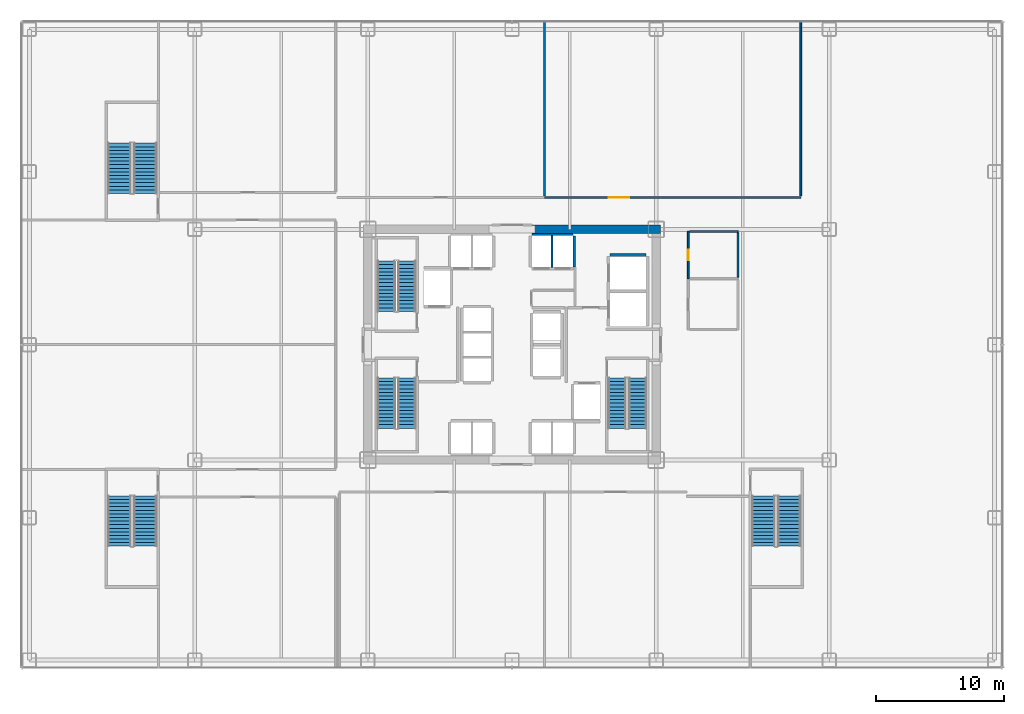
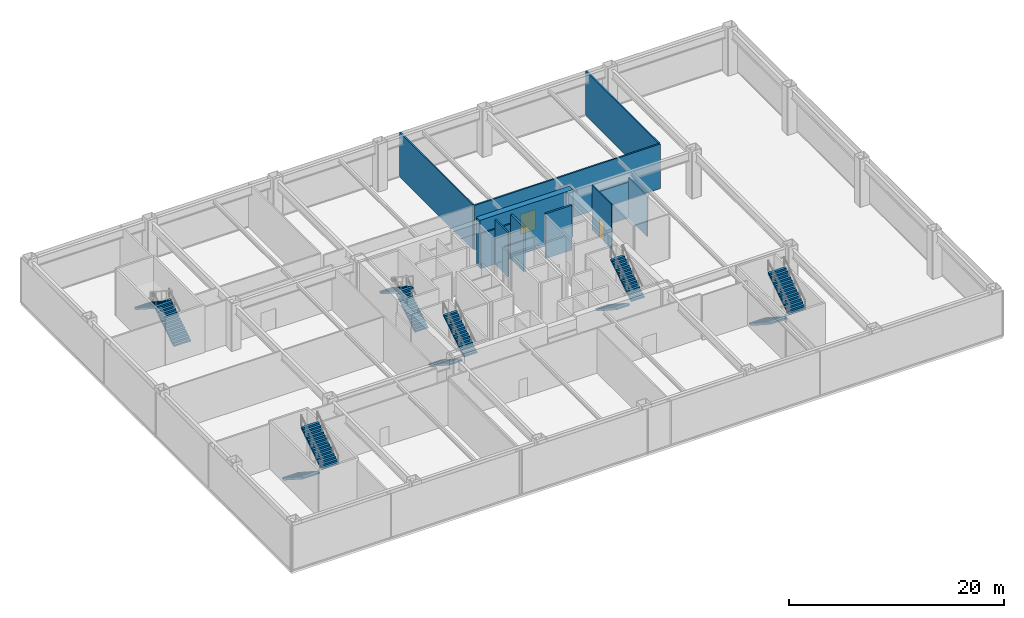
# One storey, part 20 of 24: 12 stair flights, 11 walls, 2 doors, 2 openings, 6 elements without a shape of their own.
"""IFC4 building model written with IfcOpenShell, lengths in metres."""

import ifcopenshell
import ifcopenshell.guid

model = None  # the IFC model being written
_history = None  # IfcOwnerHistory: only IFC2X3 demands one
_inside = {}  # id of a spatial element -> (the spatial element, [elements in it])
_under = {}  # id of a project, library or spatial element -> (it, [spatial elements below it])
_declared = {}  # id of a project -> (the project, [libraries it declares])
_typed = {}  # id of a type object -> (the type object, [elements of that type])
_made_of = {}  # id of a material, layer set ... -> (it, [elements and type objects made of it])


def new_model(schema):
    """Start an empty IFC model of exactly this schema.

    Asked for "IFC4X3", IfcOpenShell would pick the latest addendum, in which some entities
    have other attributes; the version numbers below select the first issue.
    IFC2X3 requires an IfcOwnerHistory on every rooted entity: one is made here for all.
    """
    global model, _history
    if schema == "IFC4X3":
        model = ifcopenshell.file(schema_version=(4, 3, 0, 0))
    else:
        model = ifcopenshell.file(schema=schema)
    _inside.clear()
    _under.clear()
    _declared.clear()
    _typed.clear()
    _made_of.clear()
    _history = None
    if model.schema == "IFC2X3":
        org = make("IfcOrganization", Name="unknown")
        user = make(
            "IfcPersonAndOrganization",
            ThePerson=make("IfcPerson", FamilyName="unknown"),
            TheOrganization=org,
        )
        app = make(
            "IfcApplication",
            ApplicationDeveloper=org,
            Version="unknown",
            ApplicationFullName="unknown",
            ApplicationIdentifier="unknown",
        )
        _history = make(
            "IfcOwnerHistory",
            OwningUser=user,
            OwningApplication=app,
            ChangeAction="ADDED",
            CreationDate=0,
        )
    return model


def make(cls, **values):
    """One entity of the class cls with the attributes given. An attribute that is None is left unset."""
    return model.create_entity(
        cls, **{name: value for name, value in values.items() if value is not None}
    )


def rooted(cls, **values):
    """An entity with a GlobalId (a new one), such as an element, a storey or a relation."""
    return make(cls, GlobalId=ifcopenshell.guid.new(), OwnerHistory=_history, **values)


def si_unit(unit_type, name, prefix=None):
    """IfcSIUnit, for example si_unit("LENGTHUNIT", "METRE", prefix="MILLI")."""
    return make("IfcSIUnit", UnitType=unit_type, Prefix=prefix, Name=name)


def assignment(units):
    """IfcUnitAssignment: the units of a project."""
    return None if units is None else make("IfcUnitAssignment", Units=units)


def point(xyz):
    """IfcCartesianPoint."""
    return None if xyz is None else make("IfcCartesianPoint", Coordinates=xyz)


def direction(xyz):
    """IfcDirection."""
    return None if xyz is None else make("IfcDirection", DirectionRatios=xyz)


def frame(location, z_axis=None, x_axis=None):
    """IfcAxis2Placement3D, a coordinate frame: its origin and axes. An axis left out is left unset."""
    return make(
        "IfcAxis2Placement3D",
        Location=point(location),
        Axis=direction(z_axis),
        RefDirection=direction(x_axis),
    )


def frame_2d(location, x_axis=None):
    """IfcAxis2Placement2D, a coordinate frame in the plane: its origin and x axis."""
    return make(
        "IfcAxis2Placement2D", Location=point(location), RefDirection=direction(x_axis)
    )


def origin():
    """The frame at (0, 0, 0) with its axes left unset."""
    return frame((0.0, 0.0, 0.0))


def place(relative_to, where):
    """IfcLocalPlacement: puts the frame where relative to a parent placement (None: the world)."""
    return make(
        "IfcLocalPlacement", PlacementRelTo=relative_to, RelativePlacement=where
    )


def context(
    kind, dimensions, precision=None, world=None, true_north=None, identifier=None
):
    """IfcGeometricRepresentationContext, for example the 3D "Model" context."""
    return make(
        "IfcGeometricRepresentationContext",
        ContextIdentifier=identifier,
        ContextType=kind,
        CoordinateSpaceDimension=dimensions,
        Precision=precision,
        WorldCoordinateSystem=world,
        TrueNorth=true_north,
    )


def subcontext(parent, identifier, kind, view, scale=None):
    """IfcGeometricRepresentationSubContext, for example "Body" below "Model"."""
    return make(
        "IfcGeometricRepresentationSubContext",
        ContextIdentifier=identifier,
        ContextType=kind,
        ParentContext=parent,
        TargetScale=scale,
        TargetView=view,
    )


def project(units=None, contexts=None):
    """IfcProject with its units and contexts."""
    return rooted(
        "IfcProject",
        Name="project",
        RepresentationContexts=contexts,
        UnitsInContext=assignment(units),
    )


def spatial(cls, under=None, at=None, **own):
    """A site, building, storey or space (cls), placed at a placement, below another one or the project."""
    s = rooted(cls, ObjectPlacement=at, **own)
    if under is not None:
        _under.setdefault(under.id(), (under, []))[1].append(s)
    return s


def polyline(points):
    """IfcPolyline through the points."""
    return make("IfcPolyline", Points=[point(p) for p in points])


def profile(cls, at=None, kind="AREA", **sizes):
    """A parametric profile (cls). Its sizes go by their IFC names, for example OverallWidth=200.0."""
    return make(cls, ProfileType=kind, Position=at, **sizes)


def rectangle(**sizes):
    """IfcRectangleProfileDef."""
    return profile("IfcRectangleProfileDef", **sizes)


def outline(outer, holes=None, kind="AREA"):
    """IfcArbitraryClosedProfileDef: a profile drawn as a closed curve; with holes, ...WithVoids."""
    if holes is None:
        return make("IfcArbitraryClosedProfileDef", ProfileType=kind, OuterCurve=outer)
    return make(
        "IfcArbitraryProfileDefWithVoids",
        ProfileType=kind,
        OuterCurve=outer,
        InnerCurves=holes,
    )


def extrude(swept, where, along, depth):
    """IfcExtrudedAreaSolid: the profile swept, set in the frame where, extruded along a direction by depth."""
    return make(
        "IfcExtrudedAreaSolid",
        SweptArea=swept,
        Position=where,
        ExtrudedDirection=direction(along),
        Depth=depth,
    )


def shape(context_of_items, identifier, shape_type, items):
    """IfcShapeRepresentation: the items that make up one representation, for example the "Body"."""
    return make(
        "IfcShapeRepresentation",
        ContextOfItems=context_of_items,
        RepresentationIdentifier=identifier,
        RepresentationType=shape_type,
        Items=items,
    )


def source(mapping_origin, context_of_items, identifier, shape_type, items):
    """IfcRepresentationMap: a shape defined once, which mapped items show again and again."""
    return make(
        "IfcRepresentationMap",
        MappingOrigin=mapping_origin,
        MappedRepresentation=shape(context_of_items, identifier, shape_type, items),
    )


def transform(
    local_origin,
    x_axis=None,
    y_axis=None,
    z_axis=None,
    scale=None,
    scale2=None,
    scale3=None,
    uniform=True,
):
    """IfcCartesianTransformationOperator3D, or its non-uniform kind. x_axis, y_axis, z_axis: its Axis1, 2, 3."""
    if uniform:
        return make(
            "IfcCartesianTransformationOperator3D",
            Axis1=direction(x_axis),
            Axis2=direction(y_axis),
            LocalOrigin=point(local_origin),
            Scale=scale,
            Axis3=direction(z_axis),
        )
    return make(
        "IfcCartesianTransformationOperator3DnonUniform",
        Axis1=direction(x_axis),
        Axis2=direction(y_axis),
        LocalOrigin=point(local_origin),
        Scale=scale,
        Axis3=direction(z_axis),
        Scale2=scale2,
        Scale3=scale3,
    )


def mapped(mapping_source, mapping_target):
    """IfcMappedItem: shows the shape of a source again, moved by a transform."""
    return make(
        "IfcMappedItem", MappingSource=mapping_source, MappingTarget=mapping_target
    )


def material(Name=None, Category=None):
    """IfcMaterial."""
    return make("IfcMaterial", Name=Name, Category=Category)


def layer(
    of_material, thickness, ventilated=None, Name=None, Category=None, Priority=None
):
    """IfcMaterialLayer: one layer of a wall or slab, of a material (None: an air gap)."""
    return make(
        "IfcMaterialLayer",
        Material=of_material,
        LayerThickness=thickness,
        IsVentilated=ventilated,
        Name=Name,
        Category=Category,
        Priority=Priority,
    )


def layer_set(layers, Name=None):
    """IfcMaterialLayerSet."""
    return make("IfcMaterialLayerSet", MaterialLayers=layers, LayerSetName=Name)


def made_of(thing, what):
    """Note that an element or type object is made of a material, layer set ...; save() writes the relation."""
    if what is not None:
        _made_of.setdefault(what.id(), (what, []))[1].append(thing)
    return thing


def type_object(cls, material=None, **own):
    """A type object (cls), such as IfcWallType, which elements share."""
    return made_of(rooted(cls, **own), material)


def element(
    cls,
    number,
    at=None,
    inside=None,
    cuts=None,
    type_object=None,
    material=None,
    context=None,
    identifier="Body",
    shape_type=None,
    held_by="IfcProductDefinitionShape",
    body=None,
    shapes=None,
    **own,
):
    """One element of the class cls, such as IfcWall. Its Tag is "e" and its number.

    at: its placement. inside: the storey or other place that contains it. cuts: it is an
    opening in that element (IfcRelVoidsElement). A single representation is given by context,
    identifier, shape_type and body (its items); several are given by shapes. held_by: the class
    of the entity that holds the representations. save() writes the other relations.
    """
    e = rooted(cls, Tag="e%d" % number, ObjectPlacement=at, **own)
    if body is not None:
        shapes = [shape(context, identifier, shape_type, body)]
    if shapes is not None:
        e.Representation = make(held_by, Representations=shapes)
    if inside is not None:
        _inside.setdefault(inside.id(), (inside, []))[1].append(e)
    if cuts is not None:
        rooted(
            "IfcRelVoidsElement", RelatingBuildingElement=cuts, RelatedOpeningElement=e
        )
    if type_object is not None:
        _typed.setdefault(type_object.id(), (type_object, []))[1].append(e)
    return made_of(e, material)


def fill(opening, filler):
    """IfcRelFillsElement: the door or window that sits in an opening."""
    return rooted(
        "IfcRelFillsElement",
        RelatingOpeningElement=opening,
        RelatedBuildingElement=filler,
    )


def aggregate(whole, parts):
    """IfcRelAggregates: a whole, such as a stair, and the parts it consists of."""
    return rooted("IfcRelAggregates", RelatingObject=whole, RelatedObjects=parts)


def save(model, path):
    """Write the relations noted so far, then the file.

    IfcRelAggregates (storeys below a building ...), IfcRelContainedInSpatialStructure (elements
    in a storey), IfcRelDefinesByType, IfcRelAssociatesMaterial and IfcRelDeclares: one each for
    every whole, place, type object, material and project.
    """
    for whole, parts in _under.values():
        aggregate(whole, parts)
    for where, things in _inside.values():
        rooted(
            "IfcRelContainedInSpatialStructure",
            RelatedElements=things,
            RelatingStructure=where,
        )
    for kind, things in _typed.values():
        rooted("IfcRelDefinesByType", RelatedObjects=things, RelatingType=kind)
    for what, things in _made_of.values():
        rooted("IfcRelAssociatesMaterial", RelatedObjects=things, RelatingMaterial=what)
    for by, libraries in _declared.values():
        rooted("IfcRelDeclares", RelatingContext=by, RelatedDefinitions=libraries)
    model.write(path)


model = new_model("IFC4")

# Units and contexts
model_context = context("Model", 3, precision=1e-05, world=origin(), true_north=direction((0.0, 1.0)))
body_context = subcontext(model_context, "Body", "Model", "MODEL_VIEW")
ifc_project = project(units=[si_unit("LENGTHUNIT", "METRE"), si_unit("AREAUNIT", "SQUARE_METRE"), si_unit("VOLUMEUNIT", "CUBIC_METRE"), si_unit("PLANEANGLEUNIT", "RADIAN"), si_unit("MASSUNIT", "GRAM", prefix="KILO")], contexts=[model_context])

# Site, building, storey
site_placement = place(None, origin())
site = spatial("IfcSite", under=ifc_project, at=site_placement, CompositionType="ELEMENT")
building_placement = place(site_placement, origin())
building = spatial("IfcBuilding", under=site, at=building_placement, Name="Nefas-Gora Pilgrimage Tower", CompositionType="ELEMENT")
storey_placement = place(building_placement, frame((0.0, 0.0, 16.800048828125)))
storey = spatial("IfcBuildingStorey", under=building, at=storey_placement, Name="L03", CompositionType="ELEMENT", Elevation=16.800048828125)

# Walls
ifc_material_1 = material(Name="Concrete C60/75", Category="concrete")
ifc_layer_1 = layer(ifc_material_1, 0.64990234375)
ifc_layer_set_1 = layer_set([ifc_layer_1], Name="Concrete C60/75")
wall_type_1 = type_object("IfcWallType", Name="SW-CORE-650", PredefinedType="SHEAR", material=ifc_layer_set_1)
shared_shape_1 = source(origin(), body_context, "Body", "SweptSolid", [
    extrude(rectangle(XDim=10.02490234375, YDim=0.64990234375, at=frame_2d((5.012451171875, 0.0))), origin(), (0.0, 0.0, 1.0), 5.39990234375),
])
wall_1_placement = place(storey_placement, frame((1.550048828125, 9.0, 0.0), z_axis=(0.0, 0.0, 1.0), x_axis=(1.0, 0.0, 0.0)))
element("IfcWall", 1, at=wall_1_placement, inside=storey, type_object=wall_type_1, Name="L03 Core Shear Wall N-East", PredefinedType="SHEAR", context=body_context, shape_type="MappedRepresentation", body=[
    mapped(shared_shape_1, transform((0.0, 0.0, 0.0), x_axis=(1.0, 0.0, 0.0), y_axis=(0.0, 1.0, 0.0), z_axis=(0.0, 0.0, 1.0), scale=1.0)),
])
ifc_material_2 = material(Name="Concrete C40/50", Category="concrete")
ifc_layer_2 = layer(ifc_material_2, 0.219970703125)
ifc_layer_set_2 = layer_set([ifc_layer_2], Name="Concrete C40/50")
wall_type_2 = type_object("IfcWallType", Name="IW-SHAFT-220", PredefinedType="SOLIDWALL", material=ifc_layer_set_2)
shared_shape_2 = source(origin(), body_context, "Body", "SweptSolid", [
    extrude(rectangle(XDim=2.780029296875, YDim=0.219970703125, at=frame_2d((1.39013671875, 0.0))), origin(), (0.0, 0.0, 1.0), 5.0849609375),
])
wall_2_placement = place(storey_placement, frame((10.43994140625, 7.010009765625, 0.0), z_axis=(0.0, 0.0, 1.0), x_axis=(-1.0, 0.0, 0.0)))
element("IfcWall", 2, at=wall_2_placement, inside=storey, type_object=wall_type_2, Name="L03 Hoistway Wall SL-02-N", PredefinedType="SOLIDWALL", context=body_context, shape_type="MappedRepresentation", body=[
    mapped(shared_shape_2, transform((0.0, 0.0, 0.0), x_axis=(1.0, 0.0, 0.0), y_axis=(0.0, 1.0, 0.0), z_axis=(0.0, 0.0, 1.0), scale=1.0)),
])
shared_shape_3 = source(origin(), body_context, "Body", "SweptSolid", [
    extrude(rectangle(XDim=2.429931640625, YDim=0.219970703125, at=frame_2d((1.21484375, 0.0))), origin(), (0.0, 0.0, 1.0), 5.0849609375),
])
wall_3_placement = place(storey_placement, frame((4.860107421875, 6.06005859375, 0.0), z_axis=(0.0, 0.0, 1.0), x_axis=(0.0, 1.0, 0.0)))
element("IfcWall", 3, at=wall_3_placement, inside=storey, type_object=wall_type_2, Name="L03 Hoistway Wall PL1-E-E", PredefinedType="SOLIDWALL", context=body_context, shape_type="MappedRepresentation", body=[
    mapped(shared_shape_3, transform((0.0, 0.0, 0.0), x_axis=(1.0, 0.0, 0.0), y_axis=(0.0, 1.0, 0.0), z_axis=(0.0, 0.0, 1.0), scale=1.0)),
])
ifc_material_3 = material(Name="Gypsum twin-stud partition")
ifc_layer_3 = layer(ifc_material_3, 0.139892578125)
ifc_layer_set_3 = layer_set([ifc_layer_3], Name="Gypsum twin-stud partition")
wall_type_3 = type_object("IfcWallType", Name="IW-UNIT-140", PredefinedType="PARTITIONING", material=ifc_layer_set_3)
shared_shape_4 = source(origin(), body_context, "Body", "SweptSolid", [
    extrude(rectangle(XDim=2.429931640625, YDim=0.139892578125, at=frame_2d((1.21484375, 0.0))), origin(), (0.0, 0.0, 1.0), 5.0849609375),
])
wall_4_placement = place(storey_placement, frame((3.125, 6.06005859375, 0.0), z_axis=(0.0, 0.0, 1.0), x_axis=(0.0, 1.0, 0.0)))
element("IfcWall", 4, at=wall_4_placement, inside=storey, type_object=wall_type_3, Name="L03 Hoistway Wall PL1-E-DIV", PredefinedType="PARTITIONING", context=body_context, shape_type="MappedRepresentation", body=[
    mapped(shared_shape_4, transform((0.0, 0.0, 0.0), x_axis=(1.0, 0.0, 0.0), y_axis=(0.0, 1.0, 0.0), z_axis=(0.0, 0.0, 1.0), scale=1.0)),
])
ifc_material_4 = material(Name="Gypsum acoustic stud partition")
ifc_layer_4 = layer(ifc_material_4, 0.159912109375)
ifc_layer_set_4 = layer_set([ifc_layer_4], Name="Gypsum acoustic stud partition")
wall_type_4 = type_object("IfcWallType", Name="IW-CORR-160", PredefinedType="PARTITIONING", material=ifc_layer_set_4)
shared_shape_5 = source(origin(), body_context, "Body", "SweptSolid", [
    extrude(rectangle(XDim=3.199951171875, YDim=0.159912109375, at=frame_2d((1.60009765625, 0.0))), origin(), (0.0, 0.0, 1.0), 3.974853515625),
])
wall_5_placement = place(storey_placement, frame((4.75, 8.580078125, 0.0), z_axis=(0.0, 0.0, 1.0), x_axis=(-1.0, 0.0, 0.0)))
element("IfcWall", 5, at=wall_5_placement, inside=storey, type_object=wall_type_4, Name="L03 Hoistway Wall PL1-E-N", PredefinedType="PARTITIONING", context=body_context, shape_type="MappedRepresentation", body=[
    mapped(shared_shape_5, transform((0.0, 0.0, 0.0), x_axis=(1.0, 0.0, 0.0), y_axis=(0.0, 1.0, 0.0), z_axis=(0.0, 0.0, 1.0), scale=1.0)),
])

# Wall, opening, door
ifc_material_5 = material(Name="Moisture-resistant fire-rated gypsum partition")
ifc_layer_5 = layer(ifc_material_5, 0.1201171875)
ifc_layer_set_5 = layer_set([ifc_layer_5], Name="Moisture-resistant fire-rated gypsum partition")
wall_type_5 = type_object("IfcWallType", Name="IW-WET-120", PredefinedType="PLUMBINGWALL", material=ifc_layer_set_5)
shared_shape_6 = source(origin(), body_context, "Body", "SweptSolid", [
    extrude(rectangle(XDim=3.68017578125, YDim=0.1201171875, at=frame_2d((1.840087890625, 0.0))), origin(), (0.0, 0.0, 1.0), 5.0849609375),
])
wall_6_placement = place(storey_placement, frame((13.75, 5.159912109375, 0.0), z_axis=(0.0, 0.0, 1.0), x_axis=(0.0, 1.0, 0.0)))
wall_6 = element("IfcWall", 6, at=wall_6_placement, inside=storey, type_object=wall_type_5, Name="L03 L03 Podium Accessible WC Partition Wall 19", PredefinedType="PLUMBINGWALL", context=body_context, shape_type="MappedRepresentation", body=[
    mapped(shared_shape_6, transform((0.0, 0.0, 0.0), x_axis=(1.0, 0.0, 0.0), y_axis=(0.0, 1.0, 0.0), z_axis=(0.0, 0.0, 1.0), scale=1.0)),
])
opening_1_placement = place(wall_6_placement, frame((1.4150390625, 0.0, 0.0)))
opening_1 = element("IfcOpeningElement", 7, at=opening_1_placement, cuts=wall_6, Name="Opening ID-BT1", PredefinedType="OPENING", context=body_context, shape_type="SweptSolid", body=[
    extrude(rectangle(XDim=0.85009765625, YDim=2.10009765625, at=frame_2d((0.425048828125, 1.050048828125))), frame((0.0, 0.070068359375, 0.0), z_axis=(0.0, -1.0, 0.0), x_axis=(1.0, 0.0, 0.0)), (0.0, 0.0, 1.0), 0.14013671875),
])
ifc_material_6 = material(Name="Moisture-resistant fire-rated timber door", Category="wood")
door_type_1 = type_object("IfcDoorType", Name="DR-INT-BATH-850", OperationType="NOTDEFINED", PredefinedType="DOOR", material=ifc_material_6)
shared_shape_7 = source(origin(), body_context, "Body", "SweptSolid", [
    extrude(rectangle(XDim=0.85009765625, YDim=2.10009765625, at=frame_2d((0.425048828125, 1.050048828125))), frame((0.0, 0.02490234375, 0.0), z_axis=(0.0, -1.0, 0.0), x_axis=(1.0, 0.0, 0.0)), (0.0, 0.0, 1.0), 0.050048828125),
])
door_1_placement = place(opening_1_placement, origin())
door_1 = element("IfcDoor", 8, at=door_1_placement, inside=storey, type_object=door_type_1, Name="L03 L03 Podium Accessible WC Door 7", OperationType="SINGLE_SWING_LEFT", OverallHeight=2.10009765625, OverallWidth=0.85009765625, PredefinedType="DOOR", context=body_context, shape_type="MappedRepresentation", body=[
    mapped(shared_shape_7, transform((0.0, 0.0, 0.0), x_axis=(1.0, 0.0, 0.0), y_axis=(0.0, 1.0, 0.0), z_axis=(0.0, 0.0, 1.0), scale=1.0)),
])
fill(opening_1, door_1)

# Walls
shared_shape_8 = source(origin(), body_context, "Body", "SweptSolid", [
    extrude(rectangle(XDim=3.789794921875, YDim=0.1201171875, at=frame_2d((1.89501953125, 0.0))), origin(), (0.0, 0.0, 1.0), 4.074951171875),
])
wall_7_placement = place(storey_placement, frame((13.85009765625, 8.830078125, 0.0), z_axis=(0.0, 0.0, 1.0), x_axis=(1.0, 0.0, 0.0)))
element("IfcWall", 9, at=wall_7_placement, inside=storey, type_object=wall_type_5, Name="L03 L03 Podium Accessible WC Partition Wall 21", PredefinedType="PLUMBINGWALL", context=body_context, shape_type="MappedRepresentation", body=[
    mapped(shared_shape_8, transform((0.0, 0.0, 0.0), x_axis=(1.0, 0.0, 0.0), y_axis=(0.0, 1.0, 0.0), z_axis=(0.0, 0.0, 1.0), scale=1.0)),
])
shared_shape_9 = source(origin(), body_context, "Body", "SweptSolid", [
    extrude(rectangle(XDim=3.4599609375, YDim=0.1201171875, at=frame_2d((1.72998046875, 0.0))), origin(), (0.0, 0.0, 1.0), 4.625),
])
wall_8_placement = place(storey_placement, frame((17.6298828125, 5.27001953125, 0.0), z_axis=(0.0, 0.0, 1.0), x_axis=(0.0, 1.0, 0.0)))
element("IfcWall", 10, at=wall_8_placement, inside=storey, type_object=wall_type_5, Name="L03 L03 Podium Accessible WC Partition Wall 22", PredefinedType="PLUMBINGWALL", context=body_context, shape_type="MappedRepresentation", body=[
    mapped(shared_shape_9, transform((0.0, 0.0, 0.0), x_axis=(1.0, 0.0, 0.0), y_axis=(0.0, 1.0, 0.0), z_axis=(0.0, 0.0, 1.0), scale=1.0)),
])
shared_shape_10 = source(origin(), body_context, "Body", "SweptSolid", [
    extrude(rectangle(XDim=13.60986328125, YDim=0.139892578125, at=frame_2d((6.804931640625, 0.0))), origin(), (0.0, 0.0, 1.0), 5.0849609375),
])
for number, where, z_axis, x_axis, name in (
    (11, (2.530029296875, 11.610107421875, 0.0), (0.0, 0.0, 1.0), (0.0, 1.0, 0.0), "L03 Highland Bakery and Pastry Servery Partition Wall 37"),
    (12, (22.530029296875, 11.610107421875, 0.0), (0.0, 0.0, 1.0), (0.0, 1.0, 0.0), "L03 Highland Fellowship Seminar Hall Partition Wall 39"),
):
    element("IfcWall", number, at=place(storey_placement, frame(where, z_axis=z_axis, x_axis=x_axis)), inside=storey, type_object=wall_type_3, Name=name, PredefinedType="PARTITIONING", context=body_context, shape_type="MappedRepresentation", body=[
        mapped(shared_shape_10, transform((0.0, 0.0, 0.0), x_axis=(1.0, 0.0, 0.0), y_axis=(0.0, 1.0, 0.0), z_axis=(0.0, 0.0, 1.0), scale=1.0)),
    ])

# Wall, opening, door
shared_shape_11 = source(origin(), body_context, "Body", "SweptSolid", [
    extrude(rectangle(XDim=20.0, YDim=0.159912109375, at=frame_2d((10.0, 0.0))), origin(), (0.0, 0.0, 1.0), 5.0849609375),
])
wall_9_placement = place(storey_placement, frame((2.5400390625, 11.489990234375, 0.0), z_axis=(0.0, 0.0, 1.0), x_axis=(1.0, 0.0, 0.0)))
wall_9 = element("IfcWall", 13, at=wall_9_placement, inside=storey, type_object=wall_type_4, Name="L03 Highland Fellowship Seminar Hall Partition Wall 38", PredefinedType="PARTITIONING", context=body_context, shape_type="MappedRepresentation", body=[
    mapped(shared_shape_11, transform((0.0, 0.0, 0.0), x_axis=(1.0, 0.0, 0.0), y_axis=(0.0, 1.0, 0.0), z_axis=(0.0, 0.0, 1.0), scale=1.0)),
])
opening_2_placement = place(wall_9_placement, frame((5.0087890625, 0.0, 0.0)))
opening_2 = element("IfcOpeningElement", 14, at=opening_2_placement, cuts=wall_9, Name="Opening ID-HL1", PredefinedType="OPENING", context=body_context, shape_type="SweptSolid", body=[
    extrude(rectangle(XDim=1.60009765625, YDim=2.300048828125, at=frame_2d((0.800048828125, 1.14990234375))), frame((0.0, 0.08984375, 0.0), z_axis=(0.0, -1.0, 0.0), x_axis=(1.0, 0.0, 0.0)), (0.0, 0.0, 1.0), 0.179931640625),
])
ifc_material_7 = material(Name="Double acoustic timber assembly hall door", Category="wood")
door_type_2 = type_object("IfcDoorType", Name="DR-INT-HALL-1600", OperationType="DOUBLE_DOOR_SINGLE_SWING", PredefinedType="DOOR", material=ifc_material_7)
shared_shape_12 = source(origin(), body_context, "Body", "SweptSolid", [
    extrude(rectangle(XDim=1.60009765625, YDim=2.300048828125, at=frame_2d((0.800048828125, 1.14990234375))), frame((0.0, 0.02490234375, 0.0), z_axis=(0.0, -1.0, 0.0), x_axis=(1.0, 0.0, 0.0)), (0.0, 0.0, 1.0), 0.050048828125),
])
door_2_placement = place(opening_2_placement, origin())
door_2 = element("IfcDoor", 15, at=door_2_placement, inside=storey, type_object=door_type_2, Name="L03 Highland Fellowship Seminar Hall Door 13", OperationType="DOUBLE_DOOR_SINGLE_SWING", OverallHeight=2.300048828125, OverallWidth=1.60009765625, PredefinedType="DOOR", context=body_context, shape_type="MappedRepresentation", body=[
    mapped(shared_shape_12, transform((0.0, 0.0, 0.0), x_axis=(1.0, 0.0, 0.0), y_axis=(0.0, 1.0, 0.0), z_axis=(0.0, 0.0, 1.0), scale=1.0)),
])
fill(opening_2, door_2)

# Stair, stair flights
ifc_material_8 = material(Name="Concrete C45/55", Category="concrete")
stair_type_1 = type_object("IfcStairType", Name="STR-1400-R1800", PredefinedType="HALF_TURN_STAIR", material=ifc_material_8)
stair_1_placement = place(storey_placement, origin())
stair_1 = element("IfcStair", 16, at=stair_1_placement, inside=storey, type_object=stair_type_1, Name="L03 Pressurised Tower Exit Stair ST-01", PredefinedType="HALF_TURN_STAIR")
stair_flight_type_1 = type_object("IfcStairFlightType", Name="STF-1400-R1800", PredefinedType="STRAIGHT", material=ifc_material_8)
shared_shape_13 = source(origin(), body_context, "Body", "SweptSolid", [
    extrude(outline(polyline([(0.0, 0.0), (0.0, 0.179931640625), (0.280029296875, 0.179931640625), (0.280029296875, 0.360107421875), (0.56005859375, 0.360107421875), (0.56005859375, 0.5400390625), (0.840087890625, 0.5400390625), (0.840087890625, 0.719970703125), (1.1201171875, 0.719970703125), (1.1201171875, 0.89990234375), (1.39990234375, 0.89990234375), (1.39990234375, 1.080078125), (1.679931640625, 1.080078125), (1.679931640625, 1.260009765625), (1.9599609375, 1.260009765625), (1.9599609375, 1.43994140625), (2.239990234375, 1.43994140625), (2.239990234375, 1.6201171875), (2.52001953125, 1.6201171875), (2.52001953125, 1.800048828125), (2.800048828125, 1.800048828125), (2.800048828125, 1.97998046875), (3.080078125, 1.97998046875), (3.080078125, 2.159912109375), (3.360107421875, 2.159912109375), (3.360107421875, 2.340087890625), (3.639892578125, 2.340087890625), (3.639892578125, 2.52001953125), (3.919921875, 2.52001953125), (3.919921875, 2.699951171875), (3.919921875, 2.341796875), (0.277099609375, 0.0), (0.0, 0.0)])), frame((0.0, 0.699951171875, 0.0), z_axis=(0.0, -1.0, 0.0), x_axis=(1.0, 0.0, 0.0)), (0.0, 0.0, 1.0), 1.39990234375),
])
stair_flight_1_placement = place(storey_placement, frame((-8.199951171875, 2.60009765625, 0.0), z_axis=(0.0, 0.0, 1.0), x_axis=(0.0, 1.0, 0.0)))
stair_flight_1 = element("IfcStairFlight", 17, at=stair_flight_1_placement, type_object=stair_flight_type_1, Name="ST-01 flight 1", NumberOfRisers=15, NumberOfTreads=14, PredefinedType="STRAIGHT", RiserHeight=0.18, TreadLength=0.28, context=body_context, shape_type="MappedRepresentation", body=[
    mapped(shared_shape_13, transform((0.0, 0.0, 0.0), x_axis=(1.0, 0.0, 0.0), y_axis=(0.0, 1.0, 0.0), z_axis=(0.0, 0.0, 1.0), scale=1.0)),
])
stair_flight_2_placement = place(storey_placement, frame((-9.800048828125, 6.52001953125, 2.699951171875), z_axis=(0.0, 0.0, 1.0), x_axis=(0.0, -1.0, 0.0)))
stair_flight_2 = element("IfcStairFlight", 18, at=stair_flight_2_placement, type_object=stair_flight_type_1, Name="ST-01 flight 2", NumberOfRisers=15, NumberOfTreads=14, PredefinedType="STRAIGHT", RiserHeight=0.18, TreadLength=0.28, context=body_context, shape_type="MappedRepresentation", body=[
    mapped(shared_shape_13, transform((0.0, 0.0, 0.0), x_axis=(1.0, 0.0, 0.0), y_axis=(0.0, 1.0, 0.0), z_axis=(0.0, 0.0, 1.0), scale=1.0)),
])
aggregate(stair_1, [stair_flight_1, stair_flight_2])

stair_2_placement = place(storey_placement, origin())
stair_2 = element("IfcStair", 19, at=stair_2_placement, inside=storey, type_object=stair_type_1, Name="L03 Pressurised Tower Exit Stair ST-02", PredefinedType="HALF_TURN_STAIR")
stair_flight_3_placement = place(storey_placement, frame((8.199951171875, -2.60009765625, 0.0), z_axis=(0.0, 0.0, 1.0), x_axis=(0.0, -1.0, 0.0)))
stair_flight_3 = element("IfcStairFlight", 20, at=stair_flight_3_placement, type_object=stair_flight_type_1, Name="ST-02 flight 1", NumberOfRisers=15, NumberOfTreads=14, PredefinedType="STRAIGHT", RiserHeight=0.18, TreadLength=0.28, context=body_context, shape_type="MappedRepresentation", body=[
    mapped(shared_shape_13, transform((0.0, 0.0, 0.0), x_axis=(1.0, 0.0, 0.0), y_axis=(0.0, 1.0, 0.0), z_axis=(0.0, 0.0, 1.0), scale=1.0)),
])
stair_flight_4_placement = place(storey_placement, frame((9.800048828125, -6.52001953125, 2.699951171875), z_axis=(0.0, 0.0, 1.0), x_axis=(0.0, 1.0, 0.0)))
stair_flight_4 = element("IfcStairFlight", 21, at=stair_flight_4_placement, type_object=stair_flight_type_1, Name="ST-02 flight 2", NumberOfRisers=15, NumberOfTreads=14, PredefinedType="STRAIGHT", RiserHeight=0.18, TreadLength=0.28, context=body_context, shape_type="MappedRepresentation", body=[
    mapped(shared_shape_13, transform((0.0, 0.0, 0.0), x_axis=(1.0, 0.0, 0.0), y_axis=(0.0, 1.0, 0.0), z_axis=(0.0, 0.0, 1.0), scale=1.0)),
])
aggregate(stair_2, [stair_flight_3, stair_flight_4])

stair_3_placement = place(storey_placement, origin())
stair_3 = element("IfcStair", 22, at=stair_3_placement, inside=storey, type_object=stair_type_1, Name="L03 Pressurised Tower Exit Stair ST-03", PredefinedType="HALF_TURN_STAIR")
stair_flight_5_placement = place(storey_placement, frame((-9.800048828125, -2.60009765625, 0.0), z_axis=(0.0, 0.0, 1.0), x_axis=(0.0, -1.0, 0.0)))
stair_flight_5 = element("IfcStairFlight", 23, at=stair_flight_5_placement, type_object=stair_flight_type_1, Name="ST-03 flight 1", NumberOfRisers=15, NumberOfTreads=14, PredefinedType="STRAIGHT", RiserHeight=0.18, TreadLength=0.28, context=body_context, shape_type="MappedRepresentation", body=[
    mapped(shared_shape_13, transform((0.0, 0.0, 0.0), x_axis=(1.0, 0.0, 0.0), y_axis=(0.0, 1.0, 0.0), z_axis=(0.0, 0.0, 1.0), scale=1.0)),
])
stair_flight_6_placement = place(storey_placement, frame((-8.199951171875, -6.52001953125, 2.699951171875), z_axis=(0.0, 0.0, 1.0), x_axis=(0.0, 1.0, 0.0)))
stair_flight_6 = element("IfcStairFlight", 24, at=stair_flight_6_placement, type_object=stair_flight_type_1, Name="ST-03 flight 2", NumberOfRisers=15, NumberOfTreads=14, PredefinedType="STRAIGHT", RiserHeight=0.18, TreadLength=0.28, context=body_context, shape_type="MappedRepresentation", body=[
    mapped(shared_shape_13, transform((0.0, 0.0, 0.0), x_axis=(1.0, 0.0, 0.0), y_axis=(0.0, 1.0, 0.0), z_axis=(0.0, 0.0, 1.0), scale=1.0)),
])
aggregate(stair_3, [stair_flight_5, stair_flight_6])

stair_type_2 = type_object("IfcStairType", Name="STR-1820-R1800", PredefinedType="HALF_TURN_STAIR", material=ifc_material_8)
stair_4_placement = place(storey_placement, origin())
stair_4 = element("IfcStair", 25, at=stair_4_placement, inside=storey, type_object=stair_type_2, Name="L03 Podium Exit Stair ST-04", PredefinedType="HALF_TURN_STAIR")
stair_flight_type_2 = type_object("IfcStairFlightType", Name="STF-1820-R1800", PredefinedType="STRAIGHT", material=ifc_material_8)
shared_shape_14 = source(origin(), body_context, "Body", "SweptSolid", [
    extrude(outline(polyline([(0.0, 0.0), (0.0, 0.179931640625), (0.280029296875, 0.179931640625), (0.280029296875, 0.360107421875), (0.56005859375, 0.360107421875), (0.56005859375, 0.5400390625), (0.840087890625, 0.5400390625), (0.840087890625, 0.719970703125), (1.1201171875, 0.719970703125), (1.1201171875, 0.89990234375), (1.39990234375, 0.89990234375), (1.39990234375, 1.080078125), (1.679931640625, 1.080078125), (1.679931640625, 1.260009765625), (1.9599609375, 1.260009765625), (1.9599609375, 1.43994140625), (2.239990234375, 1.43994140625), (2.239990234375, 1.6201171875), (2.52001953125, 1.6201171875), (2.52001953125, 1.800048828125), (2.800048828125, 1.800048828125), (2.800048828125, 1.97998046875), (3.080078125, 1.97998046875), (3.080078125, 2.159912109375), (3.360107421875, 2.159912109375), (3.360107421875, 2.340087890625), (3.639892578125, 2.340087890625), (3.639892578125, 2.52001953125), (3.919921875, 2.52001953125), (3.919921875, 2.699951171875), (3.919921875, 2.341796875), (0.277099609375, 0.0), (0.0, 0.0)])), frame((0.0, 0.91015625, 0.0), z_axis=(0.0, -1.0, 0.0), x_axis=(1.0, 0.0, 0.0)), (0.0, 0.0, 1.0), 1.820068359375),
])
stair_flight_7_placement = place(storey_placement, frame((-28.610107421875, 11.800048828125, 0.0), z_axis=(0.0, 0.0, 1.0), x_axis=(0.0, 1.0, 0.0)))
stair_flight_7 = element("IfcStairFlight", 26, at=stair_flight_7_placement, type_object=stair_flight_type_2, Name="ST-04 flight 1", NumberOfRisers=15, NumberOfTreads=14, PredefinedType="STRAIGHT", RiserHeight=0.18, TreadLength=0.28, context=body_context, shape_type="MappedRepresentation", body=[
    mapped(shared_shape_14, transform((0.0, 0.0, 0.0), x_axis=(1.0, 0.0, 0.0), y_axis=(0.0, 1.0, 0.0), z_axis=(0.0, 0.0, 1.0), scale=1.0)),
])
stair_flight_8_placement = place(storey_placement, frame((-30.6298828125, 15.719970703125, 2.699951171875), z_axis=(0.0, 0.0, 1.0), x_axis=(0.0, -1.0, 0.0)))
stair_flight_8 = element("IfcStairFlight", 27, at=stair_flight_8_placement, type_object=stair_flight_type_2, Name="ST-04 flight 2", NumberOfRisers=15, NumberOfTreads=14, PredefinedType="STRAIGHT", RiserHeight=0.18, TreadLength=0.28, context=body_context, shape_type="MappedRepresentation", body=[
    mapped(shared_shape_14, transform((0.0, 0.0, 0.0), x_axis=(1.0, 0.0, 0.0), y_axis=(0.0, 1.0, 0.0), z_axis=(0.0, 0.0, 1.0), scale=1.0)),
])
aggregate(stair_4, [stair_flight_7, stair_flight_8])

stair_5_placement = place(storey_placement, origin())
stair_5 = element("IfcStair", 28, at=stair_5_placement, inside=storey, type_object=stair_type_2, Name="L03 Podium Exit Stair ST-05", PredefinedType="HALF_TURN_STAIR")
stair_flight_9_placement = place(storey_placement, frame((-30.6298828125, -11.800048828125, 0.0), z_axis=(0.0, 0.0, 1.0), x_axis=(0.0, -1.0, 0.0)))
stair_flight_9 = element("IfcStairFlight", 29, at=stair_flight_9_placement, type_object=stair_flight_type_2, Name="ST-05 flight 1", NumberOfRisers=15, NumberOfTreads=14, PredefinedType="STRAIGHT", RiserHeight=0.18, TreadLength=0.28, context=body_context, shape_type="MappedRepresentation", body=[
    mapped(shared_shape_14, transform((0.0, 0.0, 0.0), x_axis=(1.0, 0.0, 0.0), y_axis=(0.0, 1.0, 0.0), z_axis=(0.0, 0.0, 1.0), scale=1.0)),
])
stair_flight_10_placement = place(storey_placement, frame((-28.610107421875, -15.719970703125, 2.699951171875), z_axis=(0.0, 0.0, 1.0), x_axis=(0.0, 1.0, 0.0)))
stair_flight_10 = element("IfcStairFlight", 30, at=stair_flight_10_placement, type_object=stair_flight_type_2, Name="ST-05 flight 2", NumberOfRisers=15, NumberOfTreads=14, PredefinedType="STRAIGHT", RiserHeight=0.18, TreadLength=0.28, context=body_context, shape_type="MappedRepresentation", body=[
    mapped(shared_shape_14, transform((0.0, 0.0, 0.0), x_axis=(1.0, 0.0, 0.0), y_axis=(0.0, 1.0, 0.0), z_axis=(0.0, 0.0, 1.0), scale=1.0)),
])
aggregate(stair_5, [stair_flight_9, stair_flight_10])

stair_6_placement = place(storey_placement, origin())
stair_6 = element("IfcStair", 31, at=stair_6_placement, inside=storey, type_object=stair_type_2, Name="L03 Podium Exit Stair ST-06", PredefinedType="HALF_TURN_STAIR")
stair_flight_11_placement = place(storey_placement, frame((19.610107421875, -11.800048828125, 0.0), z_axis=(0.0, 0.0, 1.0), x_axis=(0.0, -1.0, 0.0)))
stair_flight_11 = element("IfcStairFlight", 32, at=stair_flight_11_placement, type_object=stair_flight_type_2, Name="ST-06 flight 1", NumberOfRisers=15, NumberOfTreads=14, PredefinedType="STRAIGHT", RiserHeight=0.18, TreadLength=0.28, context=body_context, shape_type="MappedRepresentation", body=[
    mapped(shared_shape_14, transform((0.0, 0.0, 0.0), x_axis=(1.0, 0.0, 0.0), y_axis=(0.0, 1.0, 0.0), z_axis=(0.0, 0.0, 1.0), scale=1.0)),
])
stair_flight_12_placement = place(storey_placement, frame((21.6298828125, -15.719970703125, 2.699951171875), z_axis=(0.0, 0.0, 1.0), x_axis=(0.0, 1.0, 0.0)))
stair_flight_12 = element("IfcStairFlight", 33, at=stair_flight_12_placement, type_object=stair_flight_type_2, Name="ST-06 flight 2", NumberOfRisers=15, NumberOfTreads=14, PredefinedType="STRAIGHT", RiserHeight=0.18, TreadLength=0.28, context=body_context, shape_type="MappedRepresentation", body=[
    mapped(shared_shape_14, transform((0.0, 0.0, 0.0), x_axis=(1.0, 0.0, 0.0), y_axis=(0.0, 1.0, 0.0), z_axis=(0.0, 0.0, 1.0), scale=1.0)),
])
aggregate(stair_6, [stair_flight_11, stair_flight_12])

save(model, "model.ifc")
